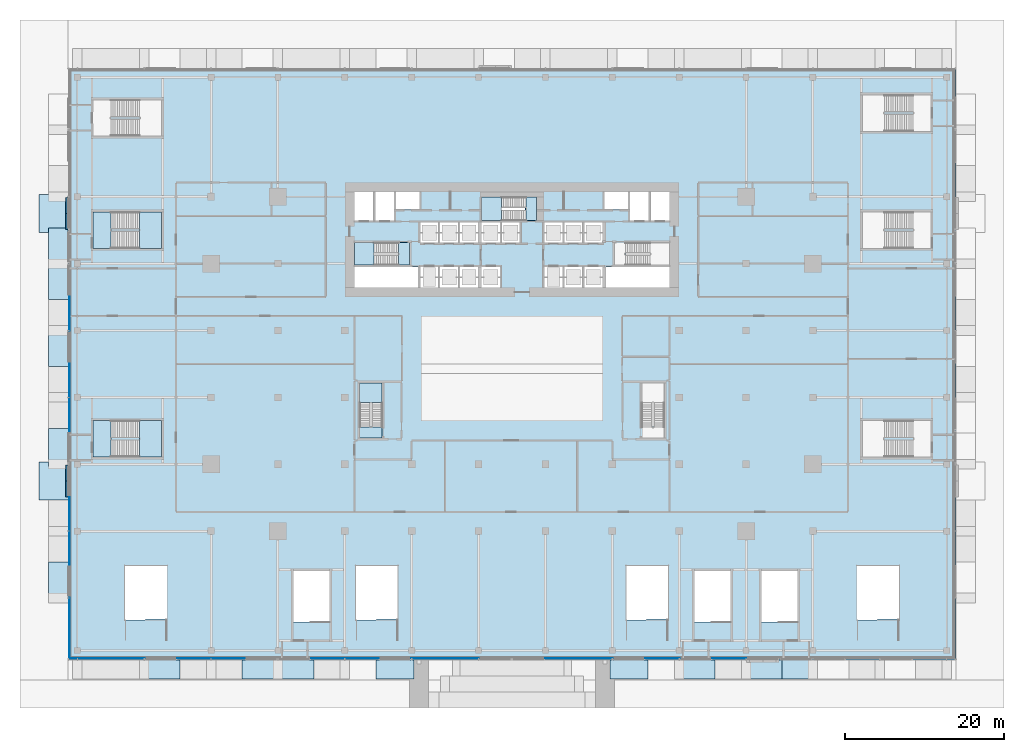
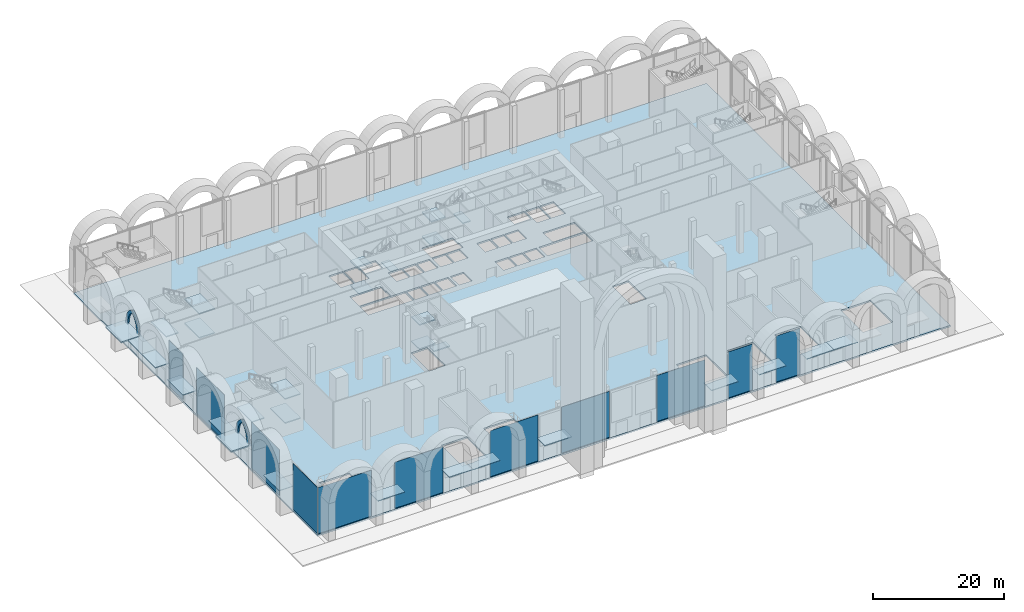
# One storey, part 17 of 43: 28 plates, 16 slabs, 7 elements without a shape of their own.
"""IFC4 building model written with IfcOpenShell, lengths in metres."""

from ifc_helpers import new_model, si_unit, direction, frame, frame_2d, origin, place, context, subcontext, project, spatial, polyline, rectangle, outline, extrude, material, layer, layer_set, type_object, element, aggregate, save


model = new_model("IFC4")

# Units and contexts
model_context = context("Model", 3, precision=1e-05, world=origin(), true_north=direction((0.0, 1.0)))
body_context = subcontext(model_context, "Body", "Model", "MODEL_VIEW")
ifc_project = project(units=[si_unit("LENGTHUNIT", "METRE"), si_unit("AREAUNIT", "SQUARE_METRE"), si_unit("VOLUMEUNIT", "CUBIC_METRE"), si_unit("PLANEANGLEUNIT", "RADIAN"), si_unit("MASSUNIT", "GRAM", prefix="KILO")], contexts=[model_context])

# Site, building, storey
site_placement = place(None, origin())
site = spatial("IfcSite", under=ifc_project, at=site_placement, CompositionType="ELEMENT")
building_placement = place(site_placement, origin())
building = spatial("IfcBuilding", under=site, at=building_placement, Name="Saffron Gate Tower", CompositionType="ELEMENT")
storey_placement = place(building_placement, origin())
storey = spatial("IfcBuildingStorey", under=building, at=storey_placement, Name="L00", CompositionType="ELEMENT", Elevation=0.0)

# Plates
ifc_material_1 = material(Name="Aluminium, bronze anodised", Category="aluminium")
ifc_layer_1 = layer(ifc_material_1, 0.14990234375)
ifc_layer_set_1 = layer_set([ifc_layer_1], Name="CAN1 entrance canopy")
plate_type_1 = type_object("IfcPlateType", Name="CAN1 entrance canopy", PredefinedType="SHEET", material=ifc_layer_set_1)
plate_1_placement = place(storey_placement, frame((0.0, 0.0, 4.39990234375)))
element("IfcPlate", 1, at=plate_1_placement, inside=storey, type_object=plate_type_1, Name="ENTRANCE CANOPY", PredefinedType="SHEET", context=body_context, shape_type="SweptSolid", body=[
    extrude(outline(polyline([(53.699951171875, 15.60009765625), (58.5, 15.60009765625), (58.5, 13.199951171875), (53.699951171875, 13.199951171875), (53.699951171875, 15.60009765625)])), origin(), (0.0, 0.0, 1.0), 0.150146484375),
])
plate_2_placement = place(storey_placement, frame((0.0, 0.0, 4.39990234375)))
element("IfcPlate", 2, at=plate_2_placement, inside=storey, type_object=plate_type_1, Name="ENTRANCE CANOPY", PredefinedType="SHEET", context=body_context, shape_type="SweptSolid", body=[
    extrude(outline(polyline([(116.699951171875, 15.60009765625), (121.5, 15.60009765625), (121.5, 13.199951171875), (116.699951171875, 13.199951171875), (116.699951171875, 15.60009765625)])), origin(), (0.0, 0.0, 1.0), 0.150146484375),
])
plate_3_placement = place(storey_placement, frame((0.0, 0.0, 4.39990234375)))
element("IfcPlate", 3, at=plate_3_placement, inside=storey, type_object=plate_type_1, Name="EXIT CANOPY", PredefinedType="SHEET", context=body_context, shape_type="SweptSolid", body=[
    extrude(outline(polyline([(70.5, 15.60009765625), (75.300048828125, 15.60009765625), (75.300048828125, 13.199951171875), (70.5, 13.199951171875), (70.5, 15.60009765625)])), origin(), (0.0, 0.0, 1.0), 0.150146484375),
])
plate_4_placement = place(storey_placement, frame((0.0, 0.0, 4.39990234375)))
element("IfcPlate", 4, at=plate_4_placement, inside=storey, type_object=plate_type_1, Name="EXIT CANOPY", PredefinedType="SHEET", context=body_context, shape_type="SweptSolid", body=[
    extrude(outline(polyline([(99.89990234375, 15.60009765625), (104.699951171875, 15.60009765625), (104.699951171875, 13.199951171875), (99.89990234375, 13.199951171875), (99.89990234375, 15.60009765625)])), origin(), (0.0, 0.0, 1.0), 0.150146484375),
])
plate_5_placement = place(storey_placement, frame((0.0, 0.0, 4.39990234375)))
element("IfcPlate", 5, at=plate_5_placement, inside=storey, type_object=plate_type_1, Name="EXIT CANOPY", PredefinedType="SHEET", context=body_context, shape_type="SweptSolid", body=[
    extrude(outline(polyline([(31.800048828125, 27.89990234375), (31.800048828125, 23.10009765625), (29.39990234375, 23.10009765625), (29.39990234375, 27.89990234375), (31.800048828125, 27.89990234375)])), origin(), (0.0, 0.0, 1.0), 0.150146484375),
])
plate_6_placement = place(storey_placement, frame((0.0, 0.0, 4.39990234375)))
element("IfcPlate", 6, at=plate_6_placement, inside=storey, type_object=plate_type_1, Name="EXIT CANOPY", PredefinedType="SHEET", context=body_context, shape_type="SweptSolid", body=[
    extrude(outline(polyline([(31.800048828125, 57.300048828125), (31.800048828125, 52.5), (29.39990234375, 52.5), (29.39990234375, 57.300048828125), (31.800048828125, 57.300048828125)])), origin(), (0.0, 0.0, 1.0), 0.150146484375),
])
plate_7_placement = place(storey_placement, frame((0.0, 0.0, 4.39990234375)))
element("IfcPlate", 7, at=plate_7_placement, inside=storey, type_object=plate_type_1, Name="EXIT CANOPY", PredefinedType="SHEET", context=body_context, shape_type="SweptSolid", body=[
    extrude(outline(polyline([(41.10009765625, 15.60009765625), (45.89990234375, 15.60009765625), (45.89990234375, 13.199951171875), (41.10009765625, 13.199951171875), (41.10009765625, 15.60009765625)])), origin(), (0.0, 0.0, 1.0), 0.150146484375),
])
plate_8_placement = place(storey_placement, frame((0.0, 0.0, 4.39990234375)))
element("IfcPlate", 8, at=plate_8_placement, inside=storey, type_object=plate_type_1, Name="EXIT CANOPY", PredefinedType="SHEET", context=body_context, shape_type="SweptSolid", body=[
    extrude(outline(polyline([(31.800048828125, 65.699951171875), (31.800048828125, 60.89990234375), (29.39990234375, 60.89990234375), (29.39990234375, 65.699951171875), (31.800048828125, 65.699951171875)])), origin(), (0.0, 0.0, 1.0), 0.150146484375),
])
plate_9_placement = place(storey_placement, frame((0.0, 0.0, 4.39990234375)))
element("IfcPlate", 9, at=plate_9_placement, inside=storey, type_object=plate_type_1, Name="EXIT CANOPY", PredefinedType="SHEET", context=body_context, shape_type="SweptSolid", body=[
    extrude(outline(polyline([(31.800048828125, 69.89990234375), (31.800048828125, 65.10009765625), (29.39990234375, 65.10009765625), (29.39990234375, 69.89990234375), (31.800048828125, 69.89990234375)])), origin(), (0.0, 0.0, 1.0), 0.150146484375),
])
plate_10_placement = place(storey_placement, frame((0.0, 0.0, 4.39990234375)))
element("IfcPlate", 10, at=plate_10_placement, inside=storey, type_object=plate_type_1, Name="EXIT CANOPY", PredefinedType="SHEET", context=body_context, shape_type="SweptSolid", body=[
    extrude(outline(polyline([(31.800048828125, 44.699951171875), (31.800048828125, 39.89990234375), (29.39990234375, 39.89990234375), (29.39990234375, 44.699951171875), (31.800048828125, 44.699951171875)])), origin(), (0.0, 0.0, 1.0), 0.150146484375),
])
plate_11_placement = place(storey_placement, frame((0.0, 0.0, 4.39990234375)))
element("IfcPlate", 11, at=plate_11_placement, inside=storey, type_object=plate_type_1, Name="EXIT CANOPY", PredefinedType="SHEET", context=body_context, shape_type="SweptSolid", body=[
    extrude(outline(polyline([(57.89990234375, 15.60009765625), (62.699951171875, 15.60009765625), (62.699951171875, 13.199951171875), (57.89990234375, 13.199951171875), (57.89990234375, 15.60009765625)])), origin(), (0.0, 0.0, 1.0), 0.150146484375),
])
plate_12_placement = place(storey_placement, frame((0.0, 0.0, 4.39990234375)))
element("IfcPlate", 12, at=plate_12_placement, inside=storey, type_object=plate_type_1, Name="EXIT CANOPY", PredefinedType="SHEET", context=body_context, shape_type="SweptSolid", body=[
    extrude(outline(polyline([(120.89990234375, 15.60009765625), (125.699951171875, 15.60009765625), (125.699951171875, 13.199951171875), (120.89990234375, 13.199951171875), (120.89990234375, 15.60009765625)])), origin(), (0.0, 0.0, 1.0), 0.150146484375),
])
plate_13_placement = place(storey_placement, frame((0.0, 0.0, 4.39990234375)))
element("IfcPlate", 13, at=plate_13_placement, inside=storey, type_object=plate_type_1, Name="EXIT CANOPY", PredefinedType="SHEET", context=body_context, shape_type="SweptSolid", body=[
    extrude(outline(polyline([(108.300048828125, 15.60009765625), (113.10009765625, 15.60009765625), (113.10009765625, 13.199951171875), (108.300048828125, 13.199951171875), (108.300048828125, 15.60009765625)])), origin(), (0.0, 0.0, 1.0), 0.150146484375),
])
ifc_layer_2 = layer(ifc_material_1, 0.25)
ifc_layer_set_2 = layer_set([ifc_layer_2], Name="CAN2 station entrance canopy")
plate_type_2 = type_object("IfcPlateType", Name="CAN2 station entrance canopy", PredefinedType="SHEET", material=ifc_layer_set_2)
plate_14_placement = place(storey_placement, frame((0.0, 0.0, 4.39990234375)))
element("IfcPlate", 14, at=plate_14_placement, inside=storey, type_object=plate_type_2, Name="STATION ENTRANCE CANOPY", PredefinedType="SHEET", context=body_context, shape_type="SweptSolid", body=[
    extrude(outline(polyline([(31.800048828125, 40.5), (31.800048828125, 35.699951171875), (28.199951171875, 35.699951171875), (28.199951171875, 40.5), (31.800048828125, 40.5)])), origin(), (0.0, 0.0, 1.0), 0.25),
])
plate_15_placement = place(storey_placement, frame((0.0, 0.0, 4.39990234375)))
element("IfcPlate", 15, at=plate_15_placement, inside=storey, type_object=plate_type_2, Name="STATION ENTRANCE CANOPY", PredefinedType="SHEET", context=body_context, shape_type="SweptSolid", body=[
    extrude(outline(polyline([(31.800048828125, 74.10009765625), (31.800048828125, 69.300048828125), (28.199951171875, 69.300048828125), (28.199951171875, 74.10009765625), (31.800048828125, 74.10009765625)])), origin(), (0.0, 0.0, 1.0), 0.25),
])

# Curtain wall, plates
curtain_wall_type = type_object("IfcCurtainWallType", Name="CWS5 curtain wall podium ring base", PredefinedType="NOTDEFINED", material=ifc_material_1)
curtain_wall_1_placement = place(storey_placement, origin())
curtain_wall_1 = element("IfcCurtainWall", 16, at=curtain_wall_1_placement, inside=storey, type_object=curtain_wall_type, Name="CWS5 run 1", PredefinedType="NOTDEFINED")
ifc_material_2 = material(Name="Clear low-iron laminated glass", Category="glass")
ifc_layer_3 = layer(ifc_material_2, 0.028076171875)
ifc_layer_set_3 = layer_set([ifc_layer_3], Name="CWS5 fixed glass")
plate_type_3 = type_object("IfcPlateType", Name="CWS5 fixed glass", PredefinedType="CURTAIN_PANEL", material=ifc_layer_set_3)
plate_16_placement = place(storey_placement, frame((32.028076171875, 15.81396484375, 0.0), z_axis=(0.0, 0.0, 1.0), x_axis=(1.0, 0.0, 0.0)))
plate_16 = element("IfcPlate", 17, at=plate_16_placement, type_object=plate_type_3, Name="CWS5 glass panel", PredefinedType="CURTAIN_PANEL", context=body_context, shape_type="SweptSolid", body=[
    extrude(rectangle(XDim=9.411865234375, YDim=0.028076171875, at=frame_2d((4.7060546875, 0.0))), origin(), (0.0, 0.0, 1.0), 8.580078125),
])
plate_17_placement = place(storey_placement, frame((45.56005859375, 15.81396484375, 0.0), z_axis=(0.0, 0.0, 1.0), x_axis=(1.0, 0.0, 0.0)))
plate_17 = element("IfcPlate", 18, at=plate_17_placement, type_object=plate_type_3, Name="CWS5 glass panel", PredefinedType="CURTAIN_PANEL", context=body_context, shape_type="SweptSolid", body=[
    extrude(rectangle(XDim=8.47998046875, YDim=0.028076171875, at=frame_2d((4.239990234375, 0.0))), origin(), (0.0, 0.0, 1.0), 8.580078125),
])
plate_18_placement = place(storey_placement, frame((62.360107421875, 15.81396484375, 0.0), z_axis=(0.0, 0.0, 1.0), x_axis=(1.0, 0.0, 0.0)))
plate_18 = element("IfcPlate", 19, at=plate_18_placement, type_object=plate_type_3, Name="CWS5 glass panel", PredefinedType="CURTAIN_PANEL", context=body_context, shape_type="SweptSolid", body=[
    extrude(rectangle(XDim=8.47998046875, YDim=0.028076171875, at=frame_2d((4.239990234375, 0.0))), origin(), (0.0, 0.0, 1.0), 8.580078125),
])
plate_19_placement = place(storey_placement, frame((74.9599609375, 15.81396484375, 0.0), z_axis=(0.0, 0.0, 1.0), x_axis=(1.0, 0.0, 0.0)))
plate_19 = element("IfcPlate", 20, at=plate_19_placement, type_object=plate_type_3, Name="CWS5 glass panel", PredefinedType="CURTAIN_PANEL", context=body_context, shape_type="SweptSolid", body=[
    extrude(rectangle(XDim=8.47998046875, YDim=0.028076171875, at=frame_2d((4.239990234375, 0.0))), origin(), (0.0, 0.0, 1.0), 8.580078125),
])
plate_20_placement = place(storey_placement, frame((91.760009765625, 15.81396484375, 0.0), z_axis=(0.0, 0.0, 1.0), x_axis=(1.0, 0.0, 0.0)))
plate_20 = element("IfcPlate", 21, at=plate_20_placement, type_object=plate_type_3, Name="CWS5 glass panel", PredefinedType="CURTAIN_PANEL", context=body_context, shape_type="SweptSolid", body=[
    extrude(rectangle(XDim=8.47998046875, YDim=0.028076171875, at=frame_2d((4.239990234375, 0.0))), origin(), (0.0, 0.0, 1.0), 8.580078125),
])
plate_21_placement = place(storey_placement, frame((104.360107421875, 15.81396484375, 0.0), z_axis=(0.0, 0.0, 1.0), x_axis=(1.0, 0.0, 0.0)))
plate_21 = element("IfcPlate", 22, at=plate_21_placement, type_object=plate_type_3, Name="CWS5 glass panel", PredefinedType="CURTAIN_PANEL", context=body_context, shape_type="SweptSolid", body=[
    extrude(rectangle(XDim=4.27978515625, YDim=0.028076171875, at=frame_2d((2.139892578125, 0.0))), origin(), (0.0, 0.0, 1.0), 8.580078125),
])
plate_22_placement = place(storey_placement, frame((112.760009765625, 15.81396484375, 0.0), z_axis=(0.0, 0.0, 1.0), x_axis=(1.0, 0.0, 0.0)))
plate_22 = element("IfcPlate", 23, at=plate_22_placement, type_object=plate_type_3, Name="CWS5 glass panel", PredefinedType="CURTAIN_PANEL", context=body_context, shape_type="SweptSolid", body=[
    extrude(rectangle(XDim=4.280029296875, YDim=0.028076171875, at=frame_2d((2.14013671875, 0.0))), origin(), (0.0, 0.0, 1.0), 8.580078125),
])
aggregate(curtain_wall_1, [plate_16, plate_17, plate_18, plate_19, plate_20, plate_21, plate_22])

curtain_wall_2_placement = place(storey_placement, origin())
curtain_wall_2 = element("IfcCurtainWall", 24, at=curtain_wall_2_placement, inside=storey, type_object=curtain_wall_type, Name="CWS5 run 4", PredefinedType="NOTDEFINED")
plate_23_placement = place(storey_placement, frame((32.013916015625, 61.239990234375, 0.0), z_axis=(0.0, 0.0, 1.0), x_axis=(0.0, -1.0, 0.0)))
plate_23 = element("IfcPlate", 25, at=plate_23_placement, type_object=plate_type_3, Name="CWS5 glass panel", PredefinedType="CURTAIN_PANEL", context=body_context, shape_type="SweptSolid", body=[
    extrude(rectangle(XDim=4.280029296875, YDim=0.028076171875, at=frame_2d((2.14013671875, 0.0))), origin(), (0.0, 0.0, 1.0), 8.580078125),
])
plate_24_placement = place(storey_placement, frame((32.013916015625, 52.840087890625, 0.0), z_axis=(0.0, 0.0, 1.0), x_axis=(0.0, -1.0, 0.0)))
plate_24 = element("IfcPlate", 26, at=plate_24_placement, type_object=plate_type_3, Name="CWS5 glass panel", PredefinedType="CURTAIN_PANEL", context=body_context, shape_type="SweptSolid", body=[
    extrude(rectangle(XDim=8.47998046875, YDim=0.028076171875, at=frame_2d((4.239990234375, 0.0))), origin(), (0.0, 0.0, 1.0), 8.580078125),
])
plate_25_placement = place(storey_placement, frame((32.013916015625, 36.0400390625, 0.0), z_axis=(0.0, 0.0, 1.0), x_axis=(0.0, -1.0, 0.0)))
plate_25 = element("IfcPlate", 27, at=plate_25_placement, type_object=plate_type_3, Name="CWS5 glass panel", PredefinedType="CURTAIN_PANEL", context=body_context, shape_type="SweptSolid", body=[
    extrude(rectangle(XDim=8.47998046875, YDim=0.028076171875, at=frame_2d((4.239990234375, 0.0))), origin(), (0.0, 0.0, 1.0), 8.580078125),
])
plate_26_placement = place(storey_placement, frame((32.013916015625, 23.43994140625, 0.0), z_axis=(0.0, 0.0, 1.0), x_axis=(0.0, -1.0, 0.0)))
plate_26 = element("IfcPlate", 28, at=plate_26_placement, type_object=plate_type_3, Name="CWS5 glass panel", PredefinedType="CURTAIN_PANEL", context=body_context, shape_type="SweptSolid", body=[
    extrude(rectangle(XDim=7.612060546875, YDim=0.028076171875, at=frame_2d((3.80615234375, 0.0))), origin(), (0.0, 0.0, 1.0), 8.580078125),
])
aggregate(curtain_wall_2, [plate_23, plate_24, plate_25, plate_26])

# Plates
ifc_material_3 = material(Name="Glazed ceramic tile, saffron")
ifc_layer_4 = layer(ifc_material_3, 0.25)
ifc_layer_set_4 = layer_set([ifc_layer_4], Name="GT5 pointed arch frame")
plate_type_4 = type_object("IfcPlateType", Name="GT5 pointed arch frame", PredefinedType="SHEET", material=ifc_layer_set_4)
plate_27_placement = place(storey_placement, frame((31.550048828125, 39.449951171875, 4.5), z_axis=(-1.0, 0.0, 0.0), x_axis=(0.0, 0.0, 1.0)))
element("IfcPlate", 29, at=plate_27_placement, inside=storey, type_object=plate_type_4, Name="ENTRANCE pointed arch frame", PredefinedType="SHEET", context=body_context, shape_type="SweptSolid", body=[
    extrude(outline(polyline([(0.0, 0.0), (0.300048828125, 0.0), (1.474609375, -0.224853515625), (1.930419921875, -0.449951171875), (2.258544921875, -0.675048828125), (2.51611328125, -0.89990234375), (2.726318359375, -1.125), (2.89990234375, -1.349853515625), (2.726318359375, -1.574951171875), (2.51611328125, -1.800048828125), (2.258544921875, -2.02490234375), (1.930419921875, -2.25), (1.474609375, -2.474853515625), (0.300048828125, -2.699951171875), (0.0, -2.699951171875), (0.0, -3.349853515625), (0.300048828125, -3.349853515625), (1.77587890625, -3.0166015625), (2.333251953125, -2.683349609375), (2.72216796875, -2.349853515625), (3.016357421875, -2.0166015625), (3.244140625, -1.683349609375), (3.419921875, -1.349853515625), (3.244140625, -1.0166015625), (3.016357421875, -0.683349609375), (2.72216796875, -0.349853515625), (2.333251953125, -0.0166015625), (1.77587890625, 0.316650390625), (0.300048828125, 0.650146484375), (0.0, 0.650146484375), (0.0, 0.0)])), origin(), (0.0, 0.0, -1.0), 0.25),
])
plate_28_placement = place(storey_placement, frame((31.550048828125, 73.050048828125, 4.5), z_axis=(-1.0, 0.0, 0.0), x_axis=(0.0, 0.0, 1.0)))
element("IfcPlate", 30, at=plate_28_placement, inside=storey, type_object=plate_type_4, Name="ENTRANCE pointed arch frame", PredefinedType="SHEET", context=body_context, shape_type="SweptSolid", body=[
    extrude(outline(polyline([(0.0, 0.0), (0.300048828125, 0.0), (1.474609375, -0.22509765625), (1.930419921875, -0.449951171875), (2.258544921875, -0.675048828125), (2.51611328125, -0.900146484375), (2.726318359375, -1.125), (2.89990234375, -1.35009765625), (2.726318359375, -1.574951171875), (2.51611328125, -1.800048828125), (2.258544921875, -2.025146484375), (1.930419921875, -2.25), (1.474609375, -2.47509765625), (0.300048828125, -2.699951171875), (0.0, -2.699951171875), (0.0, -3.35009765625), (0.300048828125, -3.35009765625), (1.77587890625, -3.0166015625), (2.333251953125, -2.683349609375), (2.72216796875, -2.35009765625), (3.016357421875, -2.0166015625), (3.244140625, -1.683349609375), (3.419921875, -1.35009765625), (3.244140625, -1.0166015625), (3.016357421875, -0.683349609375), (2.72216796875, -0.35009765625), (2.333251953125, -0.0166015625), (1.77587890625, 0.316650390625), (0.300048828125, 0.64990234375), (0.0, 0.64990234375), (0.0, 0.0)])), origin(), (0.0, 0.0, -1.0), 0.25),
])

# Slab
ifc_material_4 = material(Name="Concrete C40", Category="concrete")
ifc_layer_5 = layer(ifc_material_4, 0.300048828125)
ifc_layer_set_5 = layer_set([ifc_layer_5], Name="S3 FLOOR SLAB 300 CONCRETE C40")
slab_type_1 = type_object("IfcSlabType", Name="S3 FLOOR SLAB 300 CONCRETE C40", PredefinedType="FLOOR", material=ifc_layer_set_5)
slab_1_placement = place(storey_placement, frame((0.0, 0.0, -0.300048828125)))
element("IfcSlab", 31, at=slab_1_placement, inside=storey, type_object=slab_type_1, Name="S3 FLOOR SLAB", PredefinedType="FLOOR", context=body_context, shape_type="SweptSolid", body=[
    extrude(outline(polyline([(31.800048828125, 15.60009765625), (143.39990234375, 15.60009765625), (143.39990234375, 90.0), (31.800048828125, 90.0), (31.800048828125, 15.60009765625)]), holes=[polyline([(39.0, 20.65087890625), (39.0, 27.449951171875), (44.25, 27.449951171875), (44.25, 20.75), (41.550048828125, 20.75), (41.550048828125, 20.65087890625), (39.0, 20.65087890625)]), polyline([(60.125, 20.40087890625), (60.125, 26.800048828125), (64.675048828125, 26.800048828125), (64.675048828125, 20.5), (62.324951171875, 20.5), (62.324951171875, 20.40087890625), (60.125, 20.40087890625)]), polyline([(67.800048828125, 62.39990234375), (67.800048828125, 65.0), (75.800048828125, 65.0), (75.800048828125, 62.39990234375), (67.800048828125, 62.39990234375)]), polyline([(67.800048828125, 65.199951171875), (67.800048828125, 68.050048828125), (73.25, 68.050048828125), (73.25, 66.550048828125), (73.34912109375, 66.550048828125), (73.34912109375, 65.199951171875), (67.800048828125, 65.199951171875)]), polyline([(67.800048828125, 70.800048828125), (67.800048828125, 74.39990234375), (70.199951171875, 74.39990234375), (70.199951171875, 70.800048828125), (67.800048828125, 70.800048828125)]), polyline([(68.0, 20.65087890625), (68.0, 27.449951171875), (73.25, 27.449951171875), (73.25, 20.75), (70.550048828125, 20.75), (70.550048828125, 20.65087890625), (68.0, 20.65087890625)]), polyline([(68.449951171875, 44.85107421875), (68.449951171875, 50.39990234375), (71.300048828125, 50.39990234375), (71.300048828125, 44.949951171875), (69.800048828125, 44.949951171875), (69.800048828125, 44.85107421875), (68.449951171875, 44.85107421875)]), polyline([(70.39990234375, 70.800048828125), (70.39990234375, 74.39990234375), (72.800048828125, 74.39990234375), (72.800048828125, 70.800048828125), (70.39990234375, 70.800048828125)]), polyline([(73.0, 72.199951171875), (73.0, 74.39990234375), (76.0, 74.39990234375), (76.0, 72.199951171875), (73.0, 72.199951171875)]), polyline([(76.050048828125, 62.39990234375), (76.050048828125, 65.0), (78.35009765625, 65.0), (78.35009765625, 62.39990234375), (76.050048828125, 62.39990234375)]), polyline([(76.050048828125, 68.0), (76.050048828125, 70.60009765625), (78.35009765625, 70.60009765625), (78.35009765625, 68.0), (76.050048828125, 68.0)]), polyline([(78.550048828125, 62.39990234375), (78.550048828125, 65.0), (80.85009765625, 65.0), (80.85009765625, 62.39990234375), (78.550048828125, 62.39990234375)]), polyline([(78.550048828125, 68.0), (78.550048828125, 70.60009765625), (80.85009765625, 70.60009765625), (80.85009765625, 68.0), (78.550048828125, 68.0)]), polyline([(81.050048828125, 62.39990234375), (81.050048828125, 65.0), (83.35009765625, 65.0), (83.35009765625, 62.39990234375), (81.050048828125, 62.39990234375)]), polyline([(81.050048828125, 68.0), (81.050048828125, 70.60009765625), (83.35009765625, 70.60009765625), (83.35009765625, 68.0), (81.050048828125, 68.0)]), polyline([(83.800048828125, 62.39990234375), (83.800048828125, 65.0), (86.10009765625, 65.0), (86.10009765625, 62.39990234375), (83.800048828125, 62.39990234375)]), polyline([(83.800048828125, 68.0), (83.800048828125, 70.60009765625), (86.10009765625, 70.60009765625), (86.10009765625, 68.0), (83.800048828125, 68.0)]), polyline([(83.800048828125, 70.800048828125), (83.800048828125, 73.75), (89.25, 73.75), (89.25, 72.14990234375), (89.34912109375, 72.14990234375), (89.34912109375, 70.800048828125), (83.800048828125, 70.800048828125)]), polyline([(86.300048828125, 68.0), (86.300048828125, 70.60009765625), (88.60009765625, 70.60009765625), (88.60009765625, 68.0), (86.300048828125, 68.0)]), polyline([(91.64990234375, 62.39990234375), (91.64990234375, 65.0), (93.949951171875, 65.0), (93.949951171875, 62.39990234375), (91.64990234375, 62.39990234375)]), polyline([(91.64990234375, 68.0), (91.64990234375, 70.60009765625), (93.949951171875, 70.60009765625), (93.949951171875, 68.0), (91.64990234375, 68.0)]), polyline([(94.14990234375, 62.39990234375), (94.14990234375, 65.0), (96.449951171875, 65.0), (96.449951171875, 62.39990234375), (94.14990234375, 62.39990234375)]), polyline([(94.14990234375, 68.0), (94.14990234375, 70.60009765625), (96.449951171875, 70.60009765625), (96.449951171875, 68.0), (94.14990234375, 68.0)]), polyline([(96.64990234375, 62.39990234375), (96.64990234375, 65.0), (98.949951171875, 65.0), (98.949951171875, 62.39990234375), (96.64990234375, 62.39990234375)]), polyline([(96.64990234375, 68.0), (96.64990234375, 70.60009765625), (98.949951171875, 70.60009765625), (98.949951171875, 68.0), (96.64990234375, 68.0)]), polyline([(99.199951171875, 72.199951171875), (99.199951171875, 74.39990234375), (102.199951171875, 74.39990234375), (102.199951171875, 72.199951171875), (99.199951171875, 72.199951171875)]), polyline([(99.39990234375, 62.39990234375), (99.39990234375, 65.0), (107.39990234375, 65.0), (107.39990234375, 62.39990234375), (99.39990234375, 62.39990234375)]), polyline([(101.85107421875, 66.699951171875), (101.85107421875, 68.050048828125), (107.39990234375, 68.050048828125), (107.39990234375, 65.199951171875), (101.949951171875, 65.199951171875), (101.949951171875, 66.699951171875), (101.85107421875, 66.699951171875)]), polyline([(101.949951171875, 20.65087890625), (101.949951171875, 27.449951171875), (107.199951171875, 27.449951171875), (107.199951171875, 20.75), (104.5, 20.75), (104.5, 20.65087890625), (101.949951171875, 20.65087890625)]), polyline([(102.39990234375, 70.800048828125), (102.39990234375, 74.39990234375), (104.800048828125, 74.39990234375), (104.800048828125, 70.800048828125), (102.39990234375, 70.800048828125)]), polyline([(103.89990234375, 44.85107421875), (103.89990234375, 50.39990234375), (106.75, 50.39990234375), (106.75, 44.949951171875), (105.25, 44.949951171875), (105.25, 44.85107421875), (103.89990234375, 44.85107421875)]), polyline([(105.0, 70.800048828125), (105.0, 74.39990234375), (107.39990234375, 74.39990234375), (107.39990234375, 70.800048828125), (105.0, 70.800048828125)]), polyline([(110.52490234375, 20.40087890625), (110.52490234375, 26.800048828125), (115.074951171875, 26.800048828125), (115.074951171875, 20.5), (112.72509765625, 20.5), (112.72509765625, 20.40087890625), (110.52490234375, 20.40087890625)]), polyline([(118.925048828125, 20.40087890625), (118.925048828125, 26.800048828125), (123.47509765625, 26.800048828125), (123.47509765625, 20.5), (121.125, 20.5), (121.125, 20.40087890625), (118.925048828125, 20.40087890625)]), polyline([(130.949951171875, 20.65087890625), (130.949951171875, 27.449951171875), (136.199951171875, 27.449951171875), (136.199951171875, 20.75), (133.5, 20.75), (133.5, 20.65087890625), (130.949951171875, 20.65087890625)])]), origin(), (0.0, 0.0, 1.0), 0.300048828125),
])

# Stair, slabs
stair_type_1 = type_object("IfcStairType", Name="ST3 Stair 1350 wide, 48 risers of 188", PredefinedType="HALF_TURN_STAIR", material=ifc_material_4)
stair_1_placement = place(storey_placement, origin())
stair_1 = element("IfcStair", 32, at=stair_1_placement, inside=storey, type_object=stair_type_1, Name="L00 Exit stair A", PredefinedType="HALF_TURN_STAIR")
ifc_layer_6 = layer(ifc_material_4, 0.199951171875)
ifc_layer_set_6 = layer_set([ifc_layer_6], Name="SL1 Stair landing 200")
slab_type_2 = type_object("IfcSlabType", Name="SL1 Stair landing 200", PredefinedType="LANDING", material=ifc_layer_set_6)
slab_2_placement = place(storey_placement, frame((0.0, 0.0, 2.050048828125)))
slab_2 = element("IfcSlab", 33, at=slab_2_placement, type_object=slab_type_2, Name="ST-A landing 1", PredefinedType="LANDING", context=body_context, shape_type="SweptSolid", body=[
    extrude(outline(polyline([(70.27001953125, 68.050048828125), (67.800048828125, 68.050048828125), (67.800048828125, 65.199951171875), (70.27001953125, 65.199951171875), (70.27001953125, 68.050048828125)])), origin(), (0.0, 0.0, 1.0), 0.199951171875),
])
slab_3_placement = place(storey_placement, frame((0.0, 0.0, 4.300048828125)))
slab_3 = element("IfcSlab", 34, at=slab_3_placement, type_object=slab_type_2, Name="ST-A landing 2", PredefinedType="LANDING", context=body_context, shape_type="SweptSolid", body=[
    extrude(outline(polyline([(74.699951171875, 68.050048828125), (73.35009765625, 68.050048828125), (73.35009765625, 65.199951171875), (74.699951171875, 65.199951171875), (74.699951171875, 68.050048828125)])), origin(), (0.0, 0.0, 1.0), 0.199951171875),
])
slab_4_placement = place(storey_placement, frame((0.0, 0.0, 6.550048828125)))
slab_4 = element("IfcSlab", 35, at=slab_4_placement, type_object=slab_type_2, Name="ST-A landing 3", PredefinedType="LANDING", context=body_context, shape_type="SweptSolid", body=[
    extrude(outline(polyline([(70.27001953125, 68.050048828125), (67.800048828125, 68.050048828125), (67.800048828125, 65.199951171875), (70.27001953125, 65.199951171875), (70.27001953125, 68.050048828125)])), origin(), (0.0, 0.0, 1.0), 0.199951171875),
])
aggregate(stair_1, [slab_2, slab_3, slab_4])

stair_2_placement = place(storey_placement, origin())
stair_2 = element("IfcStair", 36, at=stair_2_placement, inside=storey, type_object=stair_type_1, Name="L00 Exit stair C", PredefinedType="HALF_TURN_STAIR")
slab_5_placement = place(storey_placement, frame((0.0, 0.0, 2.050048828125)))
slab_5 = element("IfcSlab", 37, at=slab_5_placement, type_object=slab_type_2, Name="ST-C landing 1", PredefinedType="LANDING", context=body_context, shape_type="SweptSolid", body=[
    extrude(outline(polyline([(86.27001953125, 73.75), (83.800048828125, 73.75), (83.800048828125, 70.800048828125), (86.27001953125, 70.800048828125), (86.27001953125, 73.75)])), origin(), (0.0, 0.0, 1.0), 0.199951171875),
])
slab_6_placement = place(storey_placement, frame((0.0, 0.0, 4.300048828125)))
slab_6 = element("IfcSlab", 38, at=slab_6_placement, type_object=slab_type_2, Name="ST-C landing 2", PredefinedType="LANDING", context=body_context, shape_type="SweptSolid", body=[
    extrude(outline(polyline([(90.699951171875, 73.75), (89.35009765625, 73.75), (89.35009765625, 70.800048828125), (90.699951171875, 70.800048828125), (90.699951171875, 73.75)])), origin(), (0.0, 0.0, 1.0), 0.199951171875),
])
slab_7_placement = place(storey_placement, frame((0.0, 0.0, 6.550048828125)))
slab_7 = element("IfcSlab", 39, at=slab_7_placement, type_object=slab_type_2, Name="ST-C landing 3", PredefinedType="LANDING", context=body_context, shape_type="SweptSolid", body=[
    extrude(outline(polyline([(86.27001953125, 73.75), (83.800048828125, 73.75), (83.800048828125, 70.800048828125), (86.27001953125, 70.800048828125), (86.27001953125, 73.75)])), origin(), (0.0, 0.0, 1.0), 0.199951171875),
])
aggregate(stair_2, [slab_5, slab_6, slab_7])

stair_3_placement = place(storey_placement, origin())
stair_3 = element("IfcStair", 40, at=stair_3_placement, inside=storey, type_object=stair_type_1, Name="L00 Exit stair D", PredefinedType="HALF_TURN_STAIR")
slab_8_placement = place(storey_placement, frame((0.0, 0.0, 2.050048828125)))
slab_8 = element("IfcSlab", 41, at=slab_8_placement, type_object=slab_type_2, Name="ST-D landing 1", PredefinedType="LANDING", context=body_context, shape_type="SweptSolid", body=[
    extrude(outline(polyline([(71.300048828125, 47.929931640625), (71.300048828125, 50.39990234375), (68.449951171875, 50.39990234375), (68.449951171875, 47.929931640625), (71.300048828125, 47.929931640625)])), origin(), (0.0, 0.0, 1.0), 0.199951171875),
])
slab_9_placement = place(storey_placement, frame((0.0, 0.0, 4.300048828125)))
slab_9 = element("IfcSlab", 42, at=slab_9_placement, type_object=slab_type_2, Name="ST-D landing 2", PredefinedType="LANDING", context=body_context, shape_type="SweptSolid", body=[
    extrude(outline(polyline([(71.300048828125, 43.5), (71.300048828125, 44.85009765625), (68.449951171875, 44.85009765625), (68.449951171875, 43.5), (71.300048828125, 43.5)])), origin(), (0.0, 0.0, 1.0), 0.199951171875),
])
slab_10_placement = place(storey_placement, frame((0.0, 0.0, 6.550048828125)))
slab_10 = element("IfcSlab", 43, at=slab_10_placement, type_object=slab_type_2, Name="ST-D landing 3", PredefinedType="LANDING", context=body_context, shape_type="SweptSolid", body=[
    extrude(outline(polyline([(71.300048828125, 47.929931640625), (71.300048828125, 50.39990234375), (68.449951171875, 50.39990234375), (68.449951171875, 47.929931640625), (71.300048828125, 47.929931640625)])), origin(), (0.0, 0.0, 1.0), 0.199951171875),
])
aggregate(stair_3, [slab_8, slab_9, slab_10])

stair_type_2 = type_object("IfcStairType", Name="ST9 Stair 2200 wide, 56 risers of 161", PredefinedType="HALF_TURN_STAIR", material=ifc_material_4)
stair_4_placement = place(storey_placement, origin())
stair_4 = element("IfcStair", 44, at=stair_4_placement, inside=storey, type_object=stair_type_2, Name="L00 Exit stair G", PredefinedType="HALF_TURN_STAIR")
slab_11_placement = place(storey_placement, frame((0.0, 0.0, 2.050048828125)))
slab_11 = element("IfcSlab", 45, at=slab_11_placement, type_object=slab_type_2, Name="ST-G landing 1", PredefinedType="LANDING", context=body_context, shape_type="SweptSolid", body=[
    extrude(outline(polyline([(40.840087890625, 67.324951171875), (43.60009765625, 67.324951171875), (43.60009765625, 71.875), (40.840087890625, 71.875), (40.840087890625, 67.324951171875)])), origin(), (0.0, 0.0, 1.0), 0.199951171875),
])
slab_12_placement = place(storey_placement, frame((0.0, 0.0, 4.300048828125)))
slab_12 = element("IfcSlab", 46, at=slab_12_placement, type_object=slab_type_2, Name="ST-G landing 2", PredefinedType="LANDING", context=body_context, shape_type="SweptSolid", body=[
    extrude(outline(polyline([(35.0, 67.324951171875), (37.199951171875, 67.324951171875), (37.199951171875, 71.875), (35.0, 71.875), (35.0, 67.324951171875)])), origin(), (0.0, 0.0, 1.0), 0.199951171875),
])
slab_13_placement = place(storey_placement, frame((0.0, 0.0, 6.550048828125)))
slab_13 = element("IfcSlab", 47, at=slab_13_placement, type_object=slab_type_2, Name="ST-G landing 3", PredefinedType="LANDING", context=body_context, shape_type="SweptSolid", body=[
    extrude(outline(polyline([(40.840087890625, 67.324951171875), (43.60009765625, 67.324951171875), (43.60009765625, 71.875), (40.840087890625, 71.875), (40.840087890625, 67.324951171875)])), origin(), (0.0, 0.0, 1.0), 0.199951171875),
])
aggregate(stair_4, [slab_11, slab_12, slab_13])

stair_5_placement = place(storey_placement, origin())
stair_5 = element("IfcStair", 48, at=stair_5_placement, inside=storey, type_object=stair_type_2, Name="L00 Exit stair H", PredefinedType="HALF_TURN_STAIR")
slab_14_placement = place(storey_placement, frame((0.0, 0.0, 2.050048828125)))
slab_14 = element("IfcSlab", 49, at=slab_14_placement, type_object=slab_type_2, Name="ST-H landing 1", PredefinedType="LANDING", context=body_context, shape_type="SweptSolid", body=[
    extrude(outline(polyline([(40.840087890625, 41.125), (43.60009765625, 41.125), (43.60009765625, 45.675048828125), (40.840087890625, 45.675048828125), (40.840087890625, 41.125)])), origin(), (0.0, 0.0, 1.0), 0.199951171875),
])
slab_15_placement = place(storey_placement, frame((0.0, 0.0, 4.300048828125)))
slab_15 = element("IfcSlab", 50, at=slab_15_placement, type_object=slab_type_2, Name="ST-H landing 2", PredefinedType="LANDING", context=body_context, shape_type="SweptSolid", body=[
    extrude(outline(polyline([(35.0, 41.125), (37.199951171875, 41.125), (37.199951171875, 45.675048828125), (35.0, 45.675048828125), (35.0, 41.125)])), origin(), (0.0, 0.0, 1.0), 0.199951171875),
])
slab_16_placement = place(storey_placement, frame((0.0, 0.0, 6.550048828125)))
slab_16 = element("IfcSlab", 51, at=slab_16_placement, type_object=slab_type_2, Name="ST-H landing 3", PredefinedType="LANDING", context=body_context, shape_type="SweptSolid", body=[
    extrude(outline(polyline([(40.840087890625, 41.125), (43.60009765625, 41.125), (43.60009765625, 45.675048828125), (40.840087890625, 45.675048828125), (40.840087890625, 41.125)])), origin(), (0.0, 0.0, 1.0), 0.199951171875),
])
aggregate(stair_5, [slab_14, slab_15, slab_16])

save(model, "model.ifc")
